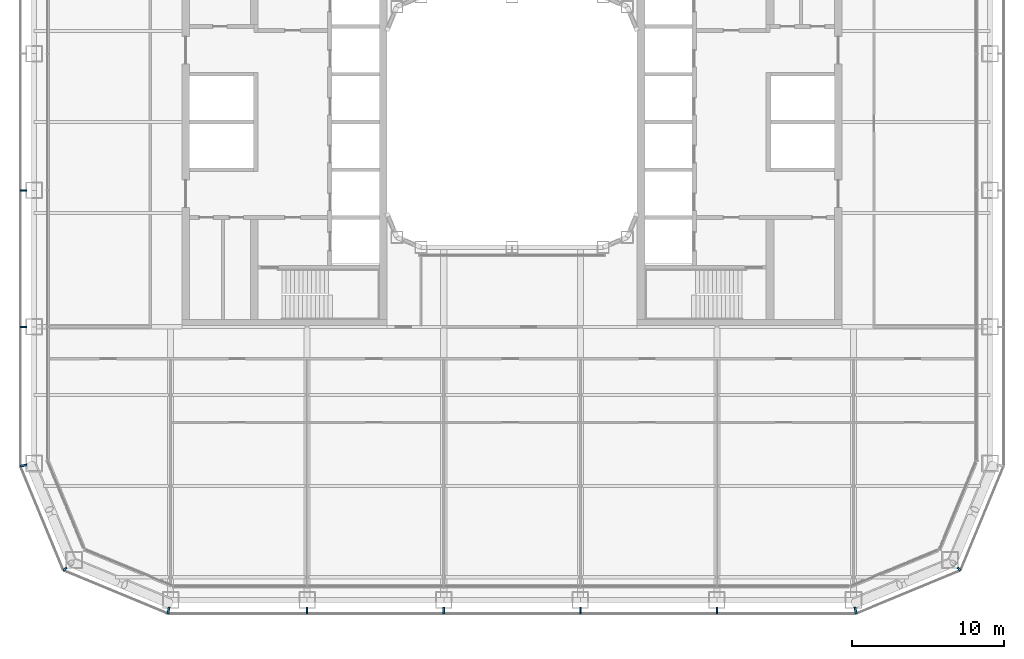
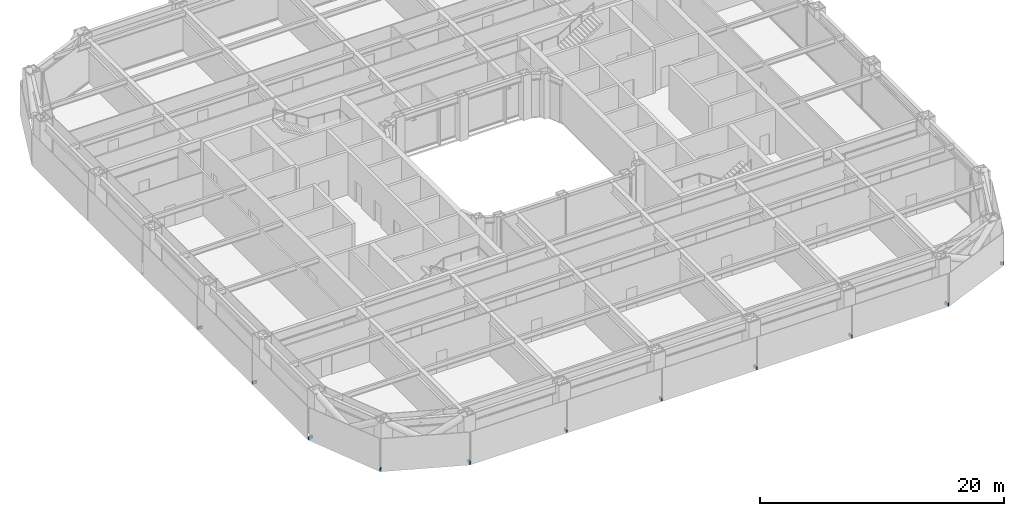
# One storey, part 16 of 24: 11 discrete accessories.
"""IFC4 building model written with IfcOpenShell, lengths in metres."""

from ifc_helpers import new_model, si_unit, direction, frame, origin, origin_2d, place, context, subcontext, project, spatial, rectangle, extrude, material, type_object, element, save


model = new_model("IFC4")

# Units and contexts
model_context = context("Model", 3, precision=1e-05, world=origin(), true_north=direction((0.0, 1.0)))
body_context = subcontext(model_context, "Body", "Model", "MODEL_VIEW")
ifc_project = project(units=[si_unit("LENGTHUNIT", "METRE"), si_unit("AREAUNIT", "SQUARE_METRE"), si_unit("VOLUMEUNIT", "CUBIC_METRE"), si_unit("PLANEANGLEUNIT", "RADIAN"), si_unit("MASSUNIT", "GRAM", prefix="KILO")], contexts=[model_context])

# Site, building, storey
site_placement = place(None, origin())
site = spatial("IfcSite", under=ifc_project, at=site_placement, CompositionType="ELEMENT")
building_placement = place(site_placement, origin())
building = spatial("IfcBuilding", under=site, at=building_placement, Name="Siwar Civic Tower", CompositionType="ELEMENT")
storey_placement = place(building_placement, frame((0.0, 0.0, 22.199951171875)))
storey = spatial("IfcBuildingStorey", under=building, at=storey_placement, Name="L04", CompositionType="ELEMENT", Elevation=22.199951171875)

# Discrete accessories
ifc_material = material(Name="Stainless steel 316", Category="steel")
discrete_accessory_type = type_object("IfcDiscreteAccessoryType", Name="ENV-BRACKET", PredefinedType="BRACKET", material=ifc_material)
for number, where, z_axis, x_axis, name in (
    (1, (-13.5, -32.18994140625, -0.14990234375), (0.0, 0.0, 1.0), (0.0, -1.0, 0.0), "Bracket outer skin joint S-01"),
    (2, (-4.5, -32.18994140625, -0.14990234375), (0.0, 0.0, 1.0), (0.0, -1.0, 0.0), "Bracket outer skin joint S-02"),
    (3, (4.5, -32.18994140625, -0.14990234375), (0.0, 0.0, 1.0), (0.0, -1.0, 0.0), "Bracket outer skin joint S-03"),
    (4, (13.5, -32.18994140625, -0.14990234375), (0.0, 0.0, 1.0), (0.0, -1.0, 0.0), "Bracket outer skin joint S-04"),
):
    element("IfcDiscreteAccessory", number, at=place(storey_placement, frame(where, z_axis=z_axis, x_axis=x_axis)), inside=storey, type_object=discrete_accessory_type, Name=name, PredefinedType="BRACKET", context=body_context, shape_type="SweptSolid", body=[
        extrude(rectangle(XDim=0.419921875, YDim=0.10009765625, at=origin_2d()), origin(), (0.0, 0.0, 1.0), 0.300048828125),
    ])
for number, where, z_axis, x_axis, name in (
    (5, (-22.63720703125, -32.190185546875, -0.14990234375), (0.0, 0.0, 1.0), (-0.195090322016, -0.980785280403, 0.0), "Bracket outer skin joint V00"),
    (6, (22.63720703125, -32.190185546875, -0.14990234375), (0.0, 0.0, 1.0), (0.195090322016, -0.980785280403, 0.0), "Bracket outer skin joint V01"),
):
    element("IfcDiscreteAccessory", number, at=place(storey_placement, frame(where, z_axis=z_axis, x_axis=x_axis)), inside=storey, type_object=discrete_accessory_type, Name=name, PredefinedType="BRACKET", context=body_context, shape_type="SweptSolid", body=[
        extrude(rectangle(XDim=0.427734375, YDim=0.13720703125, at=origin_2d()), origin(), (0.0, 0.0, 1.0), 0.300048828125),
    ])
discrete_accessory_1_placement = place(storey_placement, frame((29.451416015625, -29.451416015625, -0.14990234375), z_axis=(0.0, 0.0, 1.0), x_axis=(0.707106781187, -0.707106781187, 0.0)))
element("IfcDiscreteAccessory", 7, at=discrete_accessory_1_placement, inside=storey, type_object=discrete_accessory_type, Name="Bracket outer skin joint V02", PredefinedType="BRACKET", context=body_context, shape_type="SweptSolid", body=[
    extrude(rectangle(XDim=0.287109375, YDim=0.12939453125, at=origin_2d()), origin(), (0.0, 0.0, 1.0), 0.300048828125),
])
discrete_accessory_2_placement = place(storey_placement, frame((-32.190185546875, -22.63720703125, -0.14990234375), z_axis=(0.0, 0.0, 1.0), x_axis=(-0.980785280403, -0.195090322016, 0.0)))
element("IfcDiscreteAccessory", 8, at=discrete_accessory_2_placement, inside=storey, type_object=discrete_accessory_type, Name="Bracket outer skin joint V10", PredefinedType="BRACKET", context=body_context, shape_type="SweptSolid", body=[
    extrude(rectangle(XDim=0.427734375, YDim=0.13720703125, at=origin_2d()), origin(), (0.0, 0.0, 1.0), 0.300048828125),
])
discrete_accessory_3_placement = place(storey_placement, frame((-29.451416015625, -29.451416015625, -0.14990234375), z_axis=(0.0, 0.0, 1.0), x_axis=(-0.707106781187, -0.707106781187, 0.0)))
element("IfcDiscreteAccessory", 9, at=discrete_accessory_3_placement, inside=storey, type_object=discrete_accessory_type, Name="Bracket outer skin joint V11", PredefinedType="BRACKET", context=body_context, shape_type="SweptSolid", body=[
    extrude(rectangle(XDim=0.287109375, YDim=0.12939453125, at=origin_2d()), origin(), (0.0, 0.0, 1.0), 0.300048828125),
])
for number, where, z_axis, x_axis, name in (
    (10, (-32.18994140625, -4.5, -0.14990234375), (0.0, 0.0, 1.0), (-1.0, 0.0, 0.0), "Bracket outer skin joint W-03"),
    (11, (-32.18994140625, -13.5, -0.14990234375), (0.0, 0.0, 1.0), (-1.0, 0.0, 0.0), "Bracket outer skin joint W-04"),
):
    element("IfcDiscreteAccessory", number, at=place(storey_placement, frame(where, z_axis=z_axis, x_axis=x_axis)), inside=storey, type_object=discrete_accessory_type, Name=name, PredefinedType="BRACKET", context=body_context, shape_type="SweptSolid", body=[
        extrude(rectangle(XDim=0.419921875, YDim=0.10009765625, at=origin_2d()), origin(), (0.0, 0.0, 1.0), 0.300048828125),
    ])

save(model, "model.ifc")
